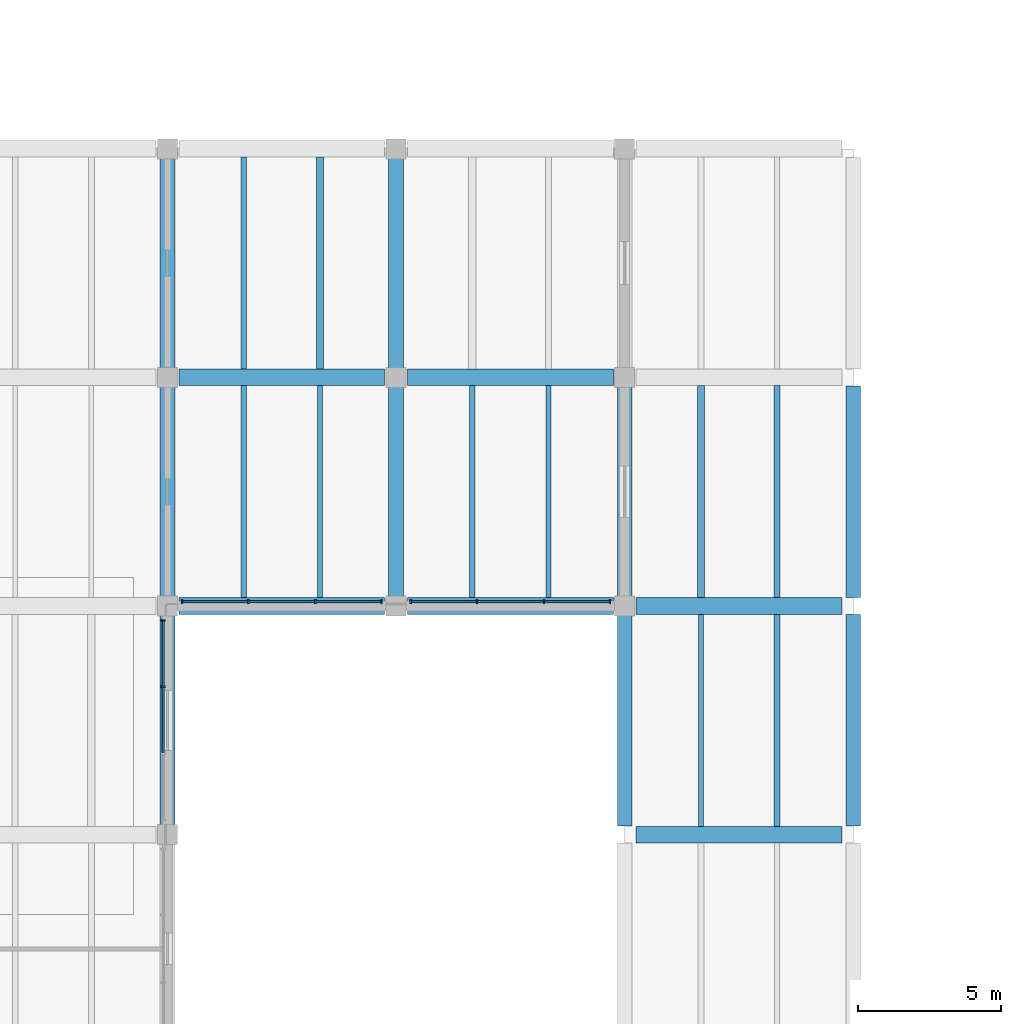
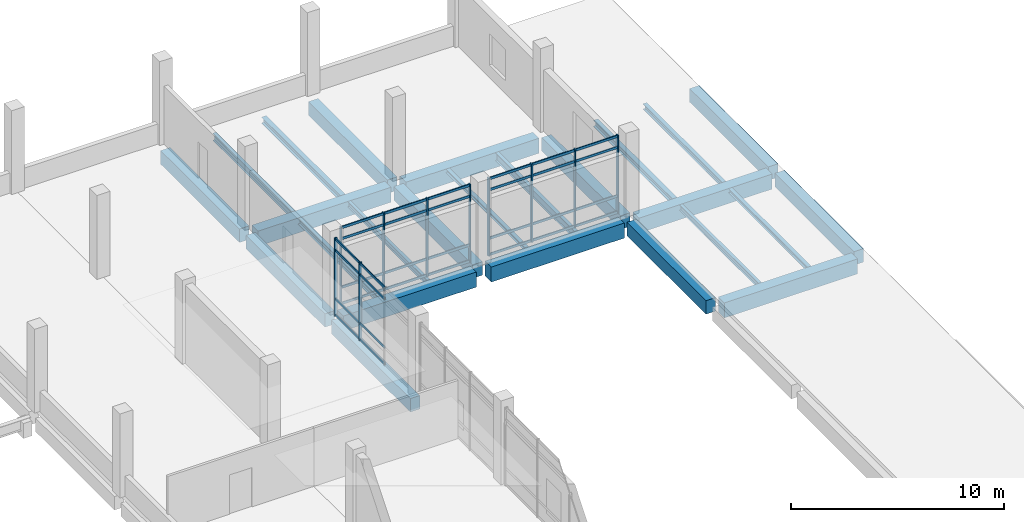
# One storey, part 21 of 52: 42 members, 25 beams, 3 elements without a shape of their own.
"""IFC4 building model written with IfcOpenShell, lengths in metres."""

from ifc_helpers import new_model, si_unit, direction, frame, origin, origin_2d, place, context, subcontext, project, spatial, rectangle, i_section, extrude, material, material_profile, profile_set, type_object, element, aggregate, save


model = new_model("IFC4")

# Units and contexts
model_context = context("Model", 3, precision=1e-05, world=origin(), true_north=direction((0.0, 1.0)))
body_context = subcontext(model_context, "Body", "Model", "MODEL_VIEW")
ifc_project = project(units=[si_unit("LENGTHUNIT", "METRE"), si_unit("AREAUNIT", "SQUARE_METRE"), si_unit("VOLUMEUNIT", "CUBIC_METRE"), si_unit("PLANEANGLEUNIT", "RADIAN"), si_unit("MASSUNIT", "GRAM", prefix="KILO")], contexts=[model_context])

# Site, building, storey
site_placement = place(None, origin())
site = spatial("IfcSite", under=ifc_project, at=site_placement, CompositionType="ELEMENT")
building_placement = place(site_placement, origin())
building = spatial("IfcBuilding", under=site, at=building_placement, Name="Pecanmere Concourse Central Library", CompositionType="ELEMENT")
storey_placement = place(building_placement, frame((0.0, 0.0, 10.5)))
storey = spatial("IfcBuildingStorey", under=building, at=storey_placement, Name="L03", CompositionType="ELEMENT", Elevation=10.5)

# Curtain wall, members
ifc_material_1 = material(Name="Clear anodized aluminium alloy 6063-T6", Category="aluminium")
curtain_wall_type = type_object("IfcCurtainWallType", Name="CW_CLOISTER_GLAZ", PredefinedType="USERDEFINED", material=ifc_material_1)
curtain_wall_1_placement = place(storey_placement, origin())
curtain_wall_1 = element("IfcCurtainWall", 1, at=curtain_wall_1_placement, inside=storey, type_object=curtain_wall_type, Name="Unitised Curtain Wall CW-04 L03-133", ObjectType="UNITISED CURTAIN WALL", PredefinedType="USERDEFINED")
ifc_material_2 = material(Name="Clear anodized aluminium alloy 6063-T6", Category="aluminium")
ifc_material_profile_1 = material_profile(ifc_material_2, rectangle(XDim=0.06005859375, YDim=0.14990234375, at=origin_2d()), Name="AL 60x150")
ifc_profile_set_1 = profile_set([ifc_material_profile_1], Name="Clear anodized aluminium alloy 6063-T6")
member_type_1 = type_object("IfcMemberType", Name="CWM_150x60", PredefinedType="MULLION", material=ifc_profile_set_1)
member_1_placement = place(storey_placement, frame((127.85009765625, 87.17333984375, 0.0), z_axis=(0.0, 0.0, 1.0), x_axis=(0.0, 1.0, 0.0)))
member_1 = element("IfcMember", 2, at=member_1_placement, type_object=member_type_1, Name="CW-04 Mullion 3", PredefinedType="MULLION", context=body_context, shape_type="SweptSolid", body=[
    extrude(rectangle(XDim=0.06005859375, YDim=0.14990234375, at=origin_2d()), origin(), (0.0, 0.0, 1.0), 4.47998046875),
])
member_2_placement = place(storey_placement, frame((127.85009765625, 89.489990234375, 0.0), z_axis=(0.0, 0.0, 1.0), x_axis=(0.0, 1.0, 0.0)))
member_2 = element("IfcMember", 3, at=member_2_placement, type_object=member_type_1, Name="CW-04 Mullion 4", PredefinedType="MULLION", context=body_context, shape_type="SweptSolid", body=[
    extrude(rectangle(XDim=0.06005859375, YDim=0.14990234375, at=origin_2d()), origin(), (0.0, 0.0, 1.0), 4.47998046875),
])

curtain_wall_2_placement = place(storey_placement, origin())
curtain_wall_2 = element("IfcCurtainWall", 4, at=curtain_wall_2_placement, inside=storey, type_object=curtain_wall_type, Name="Unitised Curtain Wall CW-04 L03-135", ObjectType="UNITISED CURTAIN WALL", PredefinedType="USERDEFINED")
member_3_placement = place(storey_placement, frame((135.489990234375, 90.14990234375, 0.0), z_axis=(0.0, 0.0, 1.0), x_axis=(-1.0, 0.0, 0.0)))
member_3 = element("IfcMember", 5, at=member_3_placement, type_object=member_type_1, Name="CW-04 Mullion 1", PredefinedType="MULLION", context=body_context, shape_type="SweptSolid", body=[
    extrude(rectangle(XDim=0.06005859375, YDim=0.14990234375, at=origin_2d()), origin(), (0.0, 0.0, 1.0), 4.47998046875),
])
member_4_placement = place(storey_placement, frame((133.17333984375, 90.14990234375, 0.0), z_axis=(0.0, 0.0, 1.0), x_axis=(-1.0, 0.0, 0.0)))
member_4 = element("IfcMember", 6, at=member_4_placement, type_object=member_type_1, Name="CW-04 Mullion 2", PredefinedType="MULLION", context=body_context, shape_type="SweptSolid", body=[
    extrude(rectangle(XDim=0.06005859375, YDim=0.14990234375, at=origin_2d()), origin(), (0.0, 0.0, 1.0), 4.47998046875),
])
member_5_placement = place(storey_placement, frame((130.82666015625, 90.14990234375, 0.0), z_axis=(0.0, 0.0, 1.0), x_axis=(-1.0, 0.0, 0.0)))
member_5 = element("IfcMember", 7, at=member_5_placement, type_object=member_type_1, Name="CW-04 Mullion 3", PredefinedType="MULLION", context=body_context, shape_type="SweptSolid", body=[
    extrude(rectangle(XDim=0.06005859375, YDim=0.14990234375, at=origin_2d()), origin(), (0.0, 0.0, 1.0), 4.47998046875),
])
member_6_placement = place(storey_placement, frame((128.510009765625, 90.14990234375, 0.0), z_axis=(0.0, 0.0, 1.0), x_axis=(-1.0, 0.0, 0.0)))
member_6 = element("IfcMember", 8, at=member_6_placement, type_object=member_type_1, Name="CW-04 Mullion 4", PredefinedType="MULLION", context=body_context, shape_type="SweptSolid", body=[
    extrude(rectangle(XDim=0.06005859375, YDim=0.14990234375, at=origin_2d()), origin(), (0.0, 0.0, 1.0), 4.47998046875),
])

curtain_wall_3_placement = place(storey_placement, origin())
curtain_wall_3 = element("IfcCurtainWall", 9, at=curtain_wall_3_placement, inside=storey, type_object=curtain_wall_type, Name="Unitised Curtain Wall CW-04 L03-136", ObjectType="UNITISED CURTAIN WALL", PredefinedType="USERDEFINED")
member_7_placement = place(storey_placement, frame((143.489990234375, 90.14990234375, 0.0), z_axis=(0.0, 0.0, 1.0), x_axis=(-1.0, 0.0, 0.0)))
member_7 = element("IfcMember", 10, at=member_7_placement, type_object=member_type_1, Name="CW-04 Mullion 1", PredefinedType="MULLION", context=body_context, shape_type="SweptSolid", body=[
    extrude(rectangle(XDim=0.06005859375, YDim=0.14990234375, at=origin_2d()), origin(), (0.0, 0.0, 1.0), 4.47998046875),
])
member_8_placement = place(storey_placement, frame((141.17333984375, 90.14990234375, 0.0), z_axis=(0.0, 0.0, 1.0), x_axis=(-1.0, 0.0, 0.0)))
member_8 = element("IfcMember", 11, at=member_8_placement, type_object=member_type_1, Name="CW-04 Mullion 2", PredefinedType="MULLION", context=body_context, shape_type="SweptSolid", body=[
    extrude(rectangle(XDim=0.06005859375, YDim=0.14990234375, at=origin_2d()), origin(), (0.0, 0.0, 1.0), 4.47998046875),
])
member_9_placement = place(storey_placement, frame((138.82666015625, 90.14990234375, 0.0), z_axis=(0.0, 0.0, 1.0), x_axis=(-1.0, 0.0, 0.0)))
member_9 = element("IfcMember", 12, at=member_9_placement, type_object=member_type_1, Name="CW-04 Mullion 3", PredefinedType="MULLION", context=body_context, shape_type="SweptSolid", body=[
    extrude(rectangle(XDim=0.06005859375, YDim=0.14990234375, at=origin_2d()), origin(), (0.0, 0.0, 1.0), 4.47998046875),
])
member_10_placement = place(storey_placement, frame((136.510009765625, 90.14990234375, 0.0), z_axis=(0.0, 0.0, 1.0), x_axis=(-1.0, 0.0, 0.0)))
member_10 = element("IfcMember", 13, at=member_10_placement, type_object=member_type_1, Name="CW-04 Mullion 4", PredefinedType="MULLION", context=body_context, shape_type="SweptSolid", body=[
    extrude(rectangle(XDim=0.06005859375, YDim=0.14990234375, at=origin_2d()), origin(), (0.0, 0.0, 1.0), 4.47998046875),
])

# Member
ifc_material_3 = material(Name="Clear anodized aluminium alloy 6063-T6", Category="aluminium")
ifc_material_profile_2 = material_profile(ifc_material_3, rectangle(XDim=0.054931640625, YDim=0.139892578125, at=origin_2d()), Name="AL 55x140")
ifc_profile_set_2 = profile_set([ifc_material_profile_2], Name="Clear anodized aluminium alloy 6063-T6")
member_type_2 = type_object("IfcMemberType", Name="CWT_140x55", PredefinedType="USERDEFINED", material=ifc_profile_set_2)
member_11_placement = place(storey_placement, frame((127.85009765625, 84.856689453125, 0.070068359375), z_axis=(0.0, 1.0, 0.0), x_axis=(-1.0, 0.0, 0.0)))
member_11 = element("IfcMember", 14, at=member_11_placement, type_object=member_type_2, Name="CW-04 Transom 2.1", ObjectType="TRANSOM", PredefinedType="USERDEFINED", context=body_context, shape_type="SweptSolid", body=[
    extrude(rectangle(XDim=0.054931640625, YDim=0.139892578125, at=origin_2d()), origin(), (0.0, 0.0, 1.0), 2.28662109375),
])

member_12_placement = place(storey_placement, frame((127.85009765625, 84.856689453125, 1.0), z_axis=(0.0, 1.0, 0.0), x_axis=(-1.0, 0.0, 0.0)))
member_12 = element("IfcMember", 15, at=member_12_placement, type_object=member_type_2, Name="CW-04 Transom 2.2", ObjectType="TRANSOM", PredefinedType="USERDEFINED", context=body_context, shape_type="SweptSolid", body=[
    extrude(rectangle(XDim=0.054931640625, YDim=0.139892578125, at=origin_2d()), origin(), (0.0, 0.0, 1.0), 2.28662109375),
])

member_13_placement = place(storey_placement, frame((127.85009765625, 84.856689453125, 3.780029296875), z_axis=(0.0, 1.0, 0.0), x_axis=(-1.0, 0.0, 0.0)))
member_13 = element("IfcMember", 16, at=member_13_placement, type_object=member_type_2, Name="CW-04 Transom 2.3", ObjectType="TRANSOM", PredefinedType="USERDEFINED", context=body_context, shape_type="SweptSolid", body=[
    extrude(rectangle(XDim=0.054931640625, YDim=0.139892578125, at=origin_2d()), origin(), (0.0, 0.0, 1.0), 2.28662109375),
])

member_14_placement = place(storey_placement, frame((127.85009765625, 84.856689453125, 4.409912109375), z_axis=(0.0, 1.0, 0.0), x_axis=(-1.0, 0.0, 0.0)))
member_14 = element("IfcMember", 17, at=member_14_placement, type_object=member_type_2, Name="CW-04 Transom 2.4", ObjectType="TRANSOM", PredefinedType="USERDEFINED", context=body_context, shape_type="SweptSolid", body=[
    extrude(rectangle(XDim=0.054931640625, YDim=0.139892578125, at=origin_2d()), origin(), (0.0, 0.0, 1.0), 2.28662109375),
])

member_15_placement = place(storey_placement, frame((127.85009765625, 87.203369140625, 0.070068359375), z_axis=(0.0, 1.0, 0.0), x_axis=(-1.0, 0.0, 0.0)))
member_15 = element("IfcMember", 18, at=member_15_placement, type_object=member_type_2, Name="CW-04 Transom 3.1", ObjectType="TRANSOM", PredefinedType="USERDEFINED", context=body_context, shape_type="SweptSolid", body=[
    extrude(rectangle(XDim=0.054931640625, YDim=0.139892578125, at=origin_2d()), origin(), (0.0, 0.0, 1.0), 2.256591796875),
])

member_16_placement = place(storey_placement, frame((127.85009765625, 87.203369140625, 1.0), z_axis=(0.0, 1.0, 0.0), x_axis=(-1.0, 0.0, 0.0)))
member_16 = element("IfcMember", 19, at=member_16_placement, type_object=member_type_2, Name="CW-04 Transom 3.2", ObjectType="TRANSOM", PredefinedType="USERDEFINED", context=body_context, shape_type="SweptSolid", body=[
    extrude(rectangle(XDim=0.054931640625, YDim=0.139892578125, at=origin_2d()), origin(), (0.0, 0.0, 1.0), 2.256591796875),
])

member_17_placement = place(storey_placement, frame((127.85009765625, 87.203369140625, 3.780029296875), z_axis=(0.0, 1.0, 0.0), x_axis=(-1.0, 0.0, 0.0)))
member_17 = element("IfcMember", 20, at=member_17_placement, type_object=member_type_2, Name="CW-04 Transom 3.3", ObjectType="TRANSOM", PredefinedType="USERDEFINED", context=body_context, shape_type="SweptSolid", body=[
    extrude(rectangle(XDim=0.054931640625, YDim=0.139892578125, at=origin_2d()), origin(), (0.0, 0.0, 1.0), 2.256591796875),
])

member_18_placement = place(storey_placement, frame((127.85009765625, 87.203369140625, 4.409912109375), z_axis=(0.0, 1.0, 0.0), x_axis=(-1.0, 0.0, 0.0)))
member_18 = element("IfcMember", 21, at=member_18_placement, type_object=member_type_2, Name="CW-04 Transom 3.4", ObjectType="TRANSOM", PredefinedType="USERDEFINED", context=body_context, shape_type="SweptSolid", body=[
    extrude(rectangle(XDim=0.054931640625, YDim=0.139892578125, at=origin_2d()), origin(), (0.0, 0.0, 1.0), 2.256591796875),
])

aggregate(curtain_wall_1, [member_1, member_2, member_11, member_12, member_13, member_14, member_15, member_16, member_17, member_18])

member_19_placement = place(storey_placement, frame((135.4599609375, 90.14990234375, 0.070068359375), z_axis=(-1.0, 0.0, 0.0), x_axis=(0.0, -1.0, 0.0)))
member_19 = element("IfcMember", 22, at=member_19_placement, type_object=member_type_2, Name="CW-04 Transom 1.1", ObjectType="TRANSOM", PredefinedType="USERDEFINED", context=body_context, shape_type="SweptSolid", body=[
    extrude(rectangle(XDim=0.054931640625, YDim=0.139892578125, at=origin_2d()), origin(), (0.0, 0.0, 1.0), 2.256591796875),
])

member_20_placement = place(storey_placement, frame((135.4599609375, 90.14990234375, 1.0), z_axis=(-1.0, 0.0, 0.0), x_axis=(0.0, -1.0, 0.0)))
member_20 = element("IfcMember", 23, at=member_20_placement, type_object=member_type_2, Name="CW-04 Transom 1.2", ObjectType="TRANSOM", PredefinedType="USERDEFINED", context=body_context, shape_type="SweptSolid", body=[
    extrude(rectangle(XDim=0.054931640625, YDim=0.139892578125, at=origin_2d()), origin(), (0.0, 0.0, 1.0), 2.256591796875),
])

member_21_placement = place(storey_placement, frame((135.4599609375, 90.14990234375, 3.780029296875), z_axis=(-1.0, 0.0, 0.0), x_axis=(0.0, -1.0, 0.0)))
member_21 = element("IfcMember", 24, at=member_21_placement, type_object=member_type_2, Name="CW-04 Transom 1.3", ObjectType="TRANSOM", PredefinedType="USERDEFINED", context=body_context, shape_type="SweptSolid", body=[
    extrude(rectangle(XDim=0.054931640625, YDim=0.139892578125, at=origin_2d()), origin(), (0.0, 0.0, 1.0), 2.256591796875),
])

member_22_placement = place(storey_placement, frame((135.4599609375, 90.14990234375, 4.409912109375), z_axis=(-1.0, 0.0, 0.0), x_axis=(0.0, -1.0, 0.0)))
member_22 = element("IfcMember", 25, at=member_22_placement, type_object=member_type_2, Name="CW-04 Transom 1.4", ObjectType="TRANSOM", PredefinedType="USERDEFINED", context=body_context, shape_type="SweptSolid", body=[
    extrude(rectangle(XDim=0.054931640625, YDim=0.139892578125, at=origin_2d()), origin(), (0.0, 0.0, 1.0), 2.256591796875),
])

member_23_placement = place(storey_placement, frame((133.143310546875, 90.14990234375, 0.070068359375), z_axis=(-1.0, 0.0, 0.0), x_axis=(0.0, -1.0, 0.0)))
member_23 = element("IfcMember", 26, at=member_23_placement, type_object=member_type_2, Name="CW-04 Transom 2.1", ObjectType="TRANSOM", PredefinedType="USERDEFINED", context=body_context, shape_type="SweptSolid", body=[
    extrude(rectangle(XDim=0.054931640625, YDim=0.139892578125, at=origin_2d()), origin(), (0.0, 0.0, 1.0), 2.28662109375),
])

member_24_placement = place(storey_placement, frame((133.143310546875, 90.14990234375, 1.0), z_axis=(-1.0, 0.0, 0.0), x_axis=(0.0, -1.0, 0.0)))
member_24 = element("IfcMember", 27, at=member_24_placement, type_object=member_type_2, Name="CW-04 Transom 2.2", ObjectType="TRANSOM", PredefinedType="USERDEFINED", context=body_context, shape_type="SweptSolid", body=[
    extrude(rectangle(XDim=0.054931640625, YDim=0.139892578125, at=origin_2d()), origin(), (0.0, 0.0, 1.0), 2.28662109375),
])

member_25_placement = place(storey_placement, frame((133.143310546875, 90.14990234375, 3.780029296875), z_axis=(-1.0, 0.0, 0.0), x_axis=(0.0, -1.0, 0.0)))
member_25 = element("IfcMember", 28, at=member_25_placement, type_object=member_type_2, Name="CW-04 Transom 2.3", ObjectType="TRANSOM", PredefinedType="USERDEFINED", context=body_context, shape_type="SweptSolid", body=[
    extrude(rectangle(XDim=0.054931640625, YDim=0.139892578125, at=origin_2d()), origin(), (0.0, 0.0, 1.0), 2.28662109375),
])

member_26_placement = place(storey_placement, frame((133.143310546875, 90.14990234375, 4.409912109375), z_axis=(-1.0, 0.0, 0.0), x_axis=(0.0, -1.0, 0.0)))
member_26 = element("IfcMember", 29, at=member_26_placement, type_object=member_type_2, Name="CW-04 Transom 2.4", ObjectType="TRANSOM", PredefinedType="USERDEFINED", context=body_context, shape_type="SweptSolid", body=[
    extrude(rectangle(XDim=0.054931640625, YDim=0.139892578125, at=origin_2d()), origin(), (0.0, 0.0, 1.0), 2.28662109375),
])

member_27_placement = place(storey_placement, frame((130.796630859375, 90.14990234375, 0.070068359375), z_axis=(-1.0, 0.0, 0.0), x_axis=(0.0, -1.0, 0.0)))
member_27 = element("IfcMember", 30, at=member_27_placement, type_object=member_type_2, Name="CW-04 Transom 3.1", ObjectType="TRANSOM", PredefinedType="USERDEFINED", context=body_context, shape_type="SweptSolid", body=[
    extrude(rectangle(XDim=0.054931640625, YDim=0.139892578125, at=origin_2d()), origin(), (0.0, 0.0, 1.0), 2.256591796875),
])

member_28_placement = place(storey_placement, frame((130.796630859375, 90.14990234375, 1.0), z_axis=(-1.0, 0.0, 0.0), x_axis=(0.0, -1.0, 0.0)))
member_28 = element("IfcMember", 31, at=member_28_placement, type_object=member_type_2, Name="CW-04 Transom 3.2", ObjectType="TRANSOM", PredefinedType="USERDEFINED", context=body_context, shape_type="SweptSolid", body=[
    extrude(rectangle(XDim=0.054931640625, YDim=0.139892578125, at=origin_2d()), origin(), (0.0, 0.0, 1.0), 2.256591796875),
])

member_29_placement = place(storey_placement, frame((130.796630859375, 90.14990234375, 3.780029296875), z_axis=(-1.0, 0.0, 0.0), x_axis=(0.0, -1.0, 0.0)))
member_29 = element("IfcMember", 32, at=member_29_placement, type_object=member_type_2, Name="CW-04 Transom 3.3", ObjectType="TRANSOM", PredefinedType="USERDEFINED", context=body_context, shape_type="SweptSolid", body=[
    extrude(rectangle(XDim=0.054931640625, YDim=0.139892578125, at=origin_2d()), origin(), (0.0, 0.0, 1.0), 2.256591796875),
])

member_30_placement = place(storey_placement, frame((130.796630859375, 90.14990234375, 4.409912109375), z_axis=(-1.0, 0.0, 0.0), x_axis=(0.0, -1.0, 0.0)))
member_30 = element("IfcMember", 33, at=member_30_placement, type_object=member_type_2, Name="CW-04 Transom 3.4", ObjectType="TRANSOM", PredefinedType="USERDEFINED", context=body_context, shape_type="SweptSolid", body=[
    extrude(rectangle(XDim=0.054931640625, YDim=0.139892578125, at=origin_2d()), origin(), (0.0, 0.0, 1.0), 2.256591796875),
])

aggregate(curtain_wall_2, [member_3, member_4, member_5, member_6, member_19, member_20, member_21, member_22, member_23, member_24, member_25, member_26, member_27, member_28, member_29, member_30])

member_31_placement = place(storey_placement, frame((143.4599609375, 90.14990234375, 0.070068359375), z_axis=(-1.0, 0.0, 0.0), x_axis=(0.0, -1.0, 0.0)))
member_31 = element("IfcMember", 34, at=member_31_placement, type_object=member_type_2, Name="CW-04 Transom 1.1", ObjectType="TRANSOM", PredefinedType="USERDEFINED", context=body_context, shape_type="SweptSolid", body=[
    extrude(rectangle(XDim=0.054931640625, YDim=0.139892578125, at=origin_2d()), origin(), (0.0, 0.0, 1.0), 2.256591796875),
])

member_32_placement = place(storey_placement, frame((143.4599609375, 90.14990234375, 1.0), z_axis=(-1.0, 0.0, 0.0), x_axis=(0.0, -1.0, 0.0)))
member_32 = element("IfcMember", 35, at=member_32_placement, type_object=member_type_2, Name="CW-04 Transom 1.2", ObjectType="TRANSOM", PredefinedType="USERDEFINED", context=body_context, shape_type="SweptSolid", body=[
    extrude(rectangle(XDim=0.054931640625, YDim=0.139892578125, at=origin_2d()), origin(), (0.0, 0.0, 1.0), 2.256591796875),
])

member_33_placement = place(storey_placement, frame((143.4599609375, 90.14990234375, 3.780029296875), z_axis=(-1.0, 0.0, 0.0), x_axis=(0.0, -1.0, 0.0)))
member_33 = element("IfcMember", 36, at=member_33_placement, type_object=member_type_2, Name="CW-04 Transom 1.3", ObjectType="TRANSOM", PredefinedType="USERDEFINED", context=body_context, shape_type="SweptSolid", body=[
    extrude(rectangle(XDim=0.054931640625, YDim=0.139892578125, at=origin_2d()), origin(), (0.0, 0.0, 1.0), 2.256591796875),
])

member_34_placement = place(storey_placement, frame((143.4599609375, 90.14990234375, 4.409912109375), z_axis=(-1.0, 0.0, 0.0), x_axis=(0.0, -1.0, 0.0)))
member_34 = element("IfcMember", 37, at=member_34_placement, type_object=member_type_2, Name="CW-04 Transom 1.4", ObjectType="TRANSOM", PredefinedType="USERDEFINED", context=body_context, shape_type="SweptSolid", body=[
    extrude(rectangle(XDim=0.054931640625, YDim=0.139892578125, at=origin_2d()), origin(), (0.0, 0.0, 1.0), 2.256591796875),
])

member_35_placement = place(storey_placement, frame((141.143310546875, 90.14990234375, 0.070068359375), z_axis=(-1.0, 0.0, 0.0), x_axis=(0.0, -1.0, 0.0)))
member_35 = element("IfcMember", 38, at=member_35_placement, type_object=member_type_2, Name="CW-04 Transom 2.1", ObjectType="TRANSOM", PredefinedType="USERDEFINED", context=body_context, shape_type="SweptSolid", body=[
    extrude(rectangle(XDim=0.054931640625, YDim=0.139892578125, at=origin_2d()), origin(), (0.0, 0.0, 1.0), 2.28662109375),
])

member_36_placement = place(storey_placement, frame((141.143310546875, 90.14990234375, 1.0), z_axis=(-1.0, 0.0, 0.0), x_axis=(0.0, -1.0, 0.0)))
member_36 = element("IfcMember", 39, at=member_36_placement, type_object=member_type_2, Name="CW-04 Transom 2.2", ObjectType="TRANSOM", PredefinedType="USERDEFINED", context=body_context, shape_type="SweptSolid", body=[
    extrude(rectangle(XDim=0.054931640625, YDim=0.139892578125, at=origin_2d()), origin(), (0.0, 0.0, 1.0), 2.28662109375),
])

member_37_placement = place(storey_placement, frame((141.143310546875, 90.14990234375, 3.780029296875), z_axis=(-1.0, 0.0, 0.0), x_axis=(0.0, -1.0, 0.0)))
member_37 = element("IfcMember", 40, at=member_37_placement, type_object=member_type_2, Name="CW-04 Transom 2.3", ObjectType="TRANSOM", PredefinedType="USERDEFINED", context=body_context, shape_type="SweptSolid", body=[
    extrude(rectangle(XDim=0.054931640625, YDim=0.139892578125, at=origin_2d()), origin(), (0.0, 0.0, 1.0), 2.28662109375),
])

member_38_placement = place(storey_placement, frame((141.143310546875, 90.14990234375, 4.409912109375), z_axis=(-1.0, 0.0, 0.0), x_axis=(0.0, -1.0, 0.0)))
member_38 = element("IfcMember", 41, at=member_38_placement, type_object=member_type_2, Name="CW-04 Transom 2.4", ObjectType="TRANSOM", PredefinedType="USERDEFINED", context=body_context, shape_type="SweptSolid", body=[
    extrude(rectangle(XDim=0.054931640625, YDim=0.139892578125, at=origin_2d()), origin(), (0.0, 0.0, 1.0), 2.28662109375),
])

member_39_placement = place(storey_placement, frame((138.796630859375, 90.14990234375, 0.070068359375), z_axis=(-1.0, 0.0, 0.0), x_axis=(0.0, -1.0, 0.0)))
member_39 = element("IfcMember", 42, at=member_39_placement, type_object=member_type_2, Name="CW-04 Transom 3.1", ObjectType="TRANSOM", PredefinedType="USERDEFINED", context=body_context, shape_type="SweptSolid", body=[
    extrude(rectangle(XDim=0.054931640625, YDim=0.139892578125, at=origin_2d()), origin(), (0.0, 0.0, 1.0), 2.256591796875),
])

member_40_placement = place(storey_placement, frame((138.796630859375, 90.14990234375, 1.0), z_axis=(-1.0, 0.0, 0.0), x_axis=(0.0, -1.0, 0.0)))
member_40 = element("IfcMember", 43, at=member_40_placement, type_object=member_type_2, Name="CW-04 Transom 3.2", ObjectType="TRANSOM", PredefinedType="USERDEFINED", context=body_context, shape_type="SweptSolid", body=[
    extrude(rectangle(XDim=0.054931640625, YDim=0.139892578125, at=origin_2d()), origin(), (0.0, 0.0, 1.0), 2.256591796875),
])

member_41_placement = place(storey_placement, frame((138.796630859375, 90.14990234375, 3.780029296875), z_axis=(-1.0, 0.0, 0.0), x_axis=(0.0, -1.0, 0.0)))
member_41 = element("IfcMember", 44, at=member_41_placement, type_object=member_type_2, Name="CW-04 Transom 3.3", ObjectType="TRANSOM", PredefinedType="USERDEFINED", context=body_context, shape_type="SweptSolid", body=[
    extrude(rectangle(XDim=0.054931640625, YDim=0.139892578125, at=origin_2d()), origin(), (0.0, 0.0, 1.0), 2.256591796875),
])

member_42_placement = place(storey_placement, frame((138.796630859375, 90.14990234375, 4.409912109375), z_axis=(-1.0, 0.0, 0.0), x_axis=(0.0, -1.0, 0.0)))
member_42 = element("IfcMember", 45, at=member_42_placement, type_object=member_type_2, Name="CW-04 Transom 3.4", ObjectType="TRANSOM", PredefinedType="USERDEFINED", context=body_context, shape_type="SweptSolid", body=[
    extrude(rectangle(XDim=0.054931640625, YDim=0.139892578125, at=origin_2d()), origin(), (0.0, 0.0, 1.0), 2.256591796875),
])

aggregate(curtain_wall_3, [member_7, member_8, member_9, member_10, member_31, member_32, member_33, member_34, member_35, member_36, member_37, member_38, member_39, member_40, member_41, member_42])

# Beams
ifc_material_4 = material(Name="Concrete C40/50", Category="concrete")
ifc_material_profile_3 = material_profile(ifc_material_4, rectangle(XDim=0.52001953125, YDim=0.77001953125, at=origin_2d()), Name="RC 520x770")
ifc_profile_set_3 = profile_set([ifc_material_profile_3], Name="Concrete C40/50")
beam_type_1 = type_object("IfcBeamType", Name="GRD_520x770", PredefinedType="USERDEFINED", material=ifc_profile_set_3)
for number, where, z_axis, x_axis, name in (
    (46, (128.0, 82.300048828125, -0.72509765625), (0.0, 1.0, 0.0), (-1.0, 0.0, 0.0), "Primary Girder Y L03-1790"),
    (47, (128.0, 90.300048828125, -0.72509765625), (0.0, 1.0, 0.0), (-1.0, 0.0, 0.0), "Primary Girder Y L03-1791"),
    (48, (128.0, 98.300048828125, -0.72509765625), (0.0, 1.0, 0.0), (-1.0, 0.0, 0.0), "Primary Girder Y L03-1792"),
    (49, (136.0, 90.300048828125, -0.72509765625), (0.0, 1.0, 0.0), (-1.0, 0.0, 0.0), "Primary Girder Y L03-1799"),
    (50, (136.0, 98.300048828125, -0.72509765625), (0.0, 1.0, 0.0), (-1.0, 0.0, 0.0), "Primary Girder Y L03-1800"),
    (51, (144.0, 82.300048828125, -0.72509765625), (0.0, 1.0, 0.0), (-1.0, 0.0, 0.0), "Primary Girder Y L03-1809"),
    (52, (144.0, 90.300048828125, -0.72509765625), (0.0, 1.0, 0.0), (-1.0, 0.0, 0.0), "Primary Girder Y L03-1810"),
    (53, (152.0, 82.300048828125, -0.72509765625), (0.0, 1.0, 0.0), (-1.0, 0.0, 0.0), "Primary Girder Y L03-1820"),
    (54, (152.0, 90.300048828125, -0.72509765625), (0.0, 1.0, 0.0), (-1.0, 0.0, 0.0), "Primary Girder Y L03-1821"),
):
    element("IfcBeam", number, at=place(storey_placement, frame(where, z_axis=z_axis, x_axis=x_axis)), inside=storey, type_object=beam_type_1, Name=name, ObjectType="GIRDER", PredefinedType="USERDEFINED", context=body_context, shape_type="SweptSolid", body=[
        extrude(rectangle(XDim=0.52001953125, YDim=0.77001953125, at=origin_2d()), origin(), (0.0, 0.0, 1.0), 7.39990234375),
    ])
ifc_material_5 = material(Name="Concrete C40/50", Category="concrete")
ifc_material_profile_4 = material_profile(ifc_material_5, rectangle(XDim=0.580078125, YDim=0.860107421875, at=origin_2d()), Name="RC 580x860")
ifc_profile_set_4 = profile_set([ifc_material_profile_4], Name="Concrete C40/50")
beam_type_2 = type_object("IfcBeamType", Name="GRD_580x860", PredefinedType="USERDEFINED", material=ifc_profile_set_4)
for number, where, z_axis, x_axis, name in (
    (55, (144.39990234375, 82.0, -0.77001953125), (1.0, 0.0, 0.0), (0.0, 1.0, 0.0), "Primary Girder X L03-1605"),
    (56, (128.39990234375, 90.0, -0.77001953125), (1.0, 0.0, 0.0), (0.0, 1.0, 0.0), "Primary Girder X L03-1619"),
    (57, (136.39990234375, 90.0, -0.77001953125), (1.0, 0.0, 0.0), (0.0, 1.0, 0.0), "Primary Girder X L03-1620"),
    (58, (144.39990234375, 90.0, -0.77001953125), (1.0, 0.0, 0.0), (0.0, 1.0, 0.0), "Primary Girder X L03-1621"),
    (59, (128.39990234375, 98.0, -0.77001953125), (1.0, 0.0, 0.0), (0.0, 1.0, 0.0), "Primary Girder X L03-1635"),
    (60, (136.39990234375, 98.0, -0.77001953125), (1.0, 0.0, 0.0), (0.0, 1.0, 0.0), "Primary Girder X L03-1636"),
):
    element("IfcBeam", number, at=place(storey_placement, frame(where, z_axis=z_axis, x_axis=x_axis)), inside=storey, type_object=beam_type_2, Name=name, ObjectType="GIRDER", PredefinedType="USERDEFINED", context=body_context, shape_type="SweptSolid", body=[
        extrude(rectangle(XDim=0.580078125, YDim=0.860107421875, at=origin_2d()), origin(), (0.0, 0.0, 1.0), 7.2001953125),
    ])
ifc_material_6 = material(Name="Structural steel ASTM A992 Grade 50", Category="steel")
ifc_material_profile_5 = material_profile(ifc_material_6, i_section(OverallWidth=0.2041015625, OverallDepth=0.2060546875, WebThickness=0.0078125, FlangeThickness=0.0126953125, at=origin_2d()), Name="W200x52")
ifc_profile_set_5 = profile_set([ifc_material_profile_5], Name="Structural steel ASTM A992 Grade 50")
beam_type_3 = type_object("IfcBeamType", Name="SBM_W200x52", PredefinedType="JOIST", material=ifc_profile_set_5)
beam_1_placement = place(storey_placement, frame((138.666748046875, 90.2900390625, -0.443115234375), z_axis=(0.0, 1.0, 0.0), x_axis=(-1.0, 0.0, 0.0)))
element("IfcBeam", 61, at=beam_1_placement, inside=storey, type_object=beam_type_3, Name="Secondary Floor Joist L03-2057", PredefinedType="JOIST", context=body_context, shape_type="SweptSolid", body=[
    extrude(i_section(OverallWidth=0.2041015625, OverallDepth=0.2060546875, WebThickness=0.0078125, FlangeThickness=0.0126953125, at=origin_2d()), origin(), (0.0, 0.0, 1.0), 7.419921875),
])
ifc_material_7 = material(Name="Structural steel ASTM A992 Grade 50", Category="steel")
ifc_material_profile_6 = material_profile(ifc_material_7, i_section(OverallWidth=0.201904296875, OverallDepth=0.2470703125, WebThickness=0.00732421875, FlangeThickness=0.010986328125, at=origin_2d()), Name="W250x49.1")
ifc_profile_set_6 = profile_set([ifc_material_profile_6], Name="Structural steel ASTM A992 Grade 50")
beam_type_4 = type_object("IfcBeamType", Name="SBM_W250x49", PredefinedType="JOIST", material=ifc_profile_set_6)
beam_2_placement = place(storey_placement, frame((149.333251953125, 82.2900390625, -0.46337890625), z_axis=(0.0, 1.0, 0.0), x_axis=(-1.0, 0.0, 0.0)))
element("IfcBeam", 62, at=beam_2_placement, inside=storey, type_object=beam_type_4, Name="Secondary Floor Joist L03-2078", PredefinedType="JOIST", context=body_context, shape_type="SweptSolid", body=[
    extrude(i_section(OverallWidth=0.201904296875, OverallDepth=0.2470703125, WebThickness=0.00732421875, FlangeThickness=0.010986328125, at=origin_2d()), origin(), (0.0, 0.0, 1.0), 7.419921875),
])
ifc_material_8 = material(Name="Structural steel ASTM A992 Grade 50", Category="steel")
ifc_material_profile_7 = material_profile(ifc_material_8, i_section(OverallWidth=0.1669921875, OverallDepth=0.31689453125, WebThickness=0.007568359375, FlangeThickness=0.01318359375, at=origin_2d()), Name="W310x52")
ifc_profile_set_7 = profile_set([ifc_material_profile_7], Name="Structural steel ASTM A992 Grade 50")
beam_type_5 = type_object("IfcBeamType", Name="SBM_W310x52", PredefinedType="JOIST", material=ifc_profile_set_7)
for number, where, z_axis, x_axis, name in (
    (63, (133.333251953125, 90.2900390625, -0.49853515625), (0.0, 1.0, 0.0), (-1.0, 0.0, 0.0), "Secondary Floor Joist L03-2042"),
    (64, (146.666748046875, 82.2900390625, -0.49853515625), (0.0, 1.0, 0.0), (-1.0, 0.0, 0.0), "Secondary Floor Joist L03-2077"),
):
    element("IfcBeam", number, at=place(storey_placement, frame(where, z_axis=z_axis, x_axis=x_axis)), inside=storey, type_object=beam_type_5, Name=name, PredefinedType="JOIST", context=body_context, shape_type="SweptSolid", body=[
        extrude(i_section(OverallWidth=0.1669921875, OverallDepth=0.31689453125, WebThickness=0.007568359375, FlangeThickness=0.01318359375, at=origin_2d()), origin(), (0.0, 0.0, 1.0), 7.419921875),
    ])
ifc_material_9 = material(Name="Structural steel ASTM A992 Grade 50", Category="steel")
ifc_material_profile_8 = material_profile(ifc_material_9, i_section(OverallWidth=0.205078125, OverallDepth=0.31005859375, WebThickness=0.009521484375, FlangeThickness=0.016357421875, at=origin_2d()), Name="W310x74")
ifc_profile_set_8 = profile_set([ifc_material_profile_8], Name="Structural steel ASTM A992 Grade 50")
beam_type_6 = type_object("IfcBeamType", Name="SBM_W310x74", PredefinedType="BEAM", material=ifc_profile_set_8)
beam_3_placement = place(storey_placement, frame((149.333251953125, 90.2900390625, -0.4951171875), z_axis=(0.0, 1.0, 0.0), x_axis=(-1.0, 0.0, 0.0)))
element("IfcBeam", 65, at=beam_3_placement, inside=storey, type_object=beam_type_6, Name="Secondary Floor Joist L03-2080", PredefinedType="BEAM", context=body_context, shape_type="SweptSolid", body=[
    extrude(i_section(OverallWidth=0.205078125, OverallDepth=0.31005859375, WebThickness=0.009521484375, FlangeThickness=0.016357421875, at=origin_2d()), origin(), (0.0, 0.0, 1.0), 7.419921875),
])
ifc_material_10 = material(Name="Structural steel ASTM A992 Grade 50", Category="steel")
ifc_material_profile_9 = material_profile(ifc_material_10, i_section(OverallWidth=0.202880859375, OverallDepth=0.346923828125, WebThickness=0.0078125, FlangeThickness=0.013427734375, at=origin_2d()), Name="W360x64")
ifc_profile_set_9 = profile_set([ifc_material_profile_9], Name="Structural steel ASTM A992 Grade 50")
beam_type_7 = type_object("IfcBeamType", Name="SBM_W360x64", PredefinedType="JOIST", material=ifc_profile_set_9)
beam_4_placement = place(storey_placement, frame((130.666748046875, 90.2900390625, -0.513427734375), z_axis=(0.0, 1.0, 0.0), x_axis=(-1.0, 0.0, 0.0)))
element("IfcBeam", 66, at=beam_4_placement, inside=storey, type_object=beam_type_7, Name="Secondary Floor Joist L03-2041", PredefinedType="JOIST", context=body_context, shape_type="SweptSolid", body=[
    extrude(i_section(OverallWidth=0.202880859375, OverallDepth=0.346923828125, WebThickness=0.0078125, FlangeThickness=0.013427734375, at=origin_2d()), origin(), (0.0, 0.0, 1.0), 7.419921875),
])
ifc_material_11 = material(Name="Structural steel ASTM A992 Grade 50", Category="steel")
ifc_material_profile_10 = material_profile(ifc_material_11, i_section(OverallWidth=0.25390625, OverallDepth=0.35302734375, WebThickness=0.009521484375, FlangeThickness=0.016357421875, at=origin_2d()), Name="W360x91")
ifc_profile_set_10 = profile_set([ifc_material_profile_10], Name="Structural steel ASTM A992 Grade 50")
beam_type_8 = type_object("IfcBeamType", Name="SBM_W360x91", PredefinedType="BEAM", material=ifc_profile_set_10)
for number, where, z_axis, x_axis, name in (
    (67, (133.333251953125, 98.2900390625, -0.5166015625), (0.0, 1.0, 0.0), (-1.0, 0.0, 0.0), "Secondary Floor Joist L03-2044"),
    (68, (146.666748046875, 90.2900390625, -0.5166015625), (0.0, 1.0, 0.0), (-1.0, 0.0, 0.0), "Secondary Floor Joist L03-2079"),
):
    element("IfcBeam", number, at=place(storey_placement, frame(where, z_axis=z_axis, x_axis=x_axis)), inside=storey, type_object=beam_type_8, Name=name, PredefinedType="BEAM", context=body_context, shape_type="SweptSolid", body=[
        extrude(i_section(OverallWidth=0.25390625, OverallDepth=0.35302734375, WebThickness=0.009521484375, FlangeThickness=0.016357421875, at=origin_2d()), origin(), (0.0, 0.0, 1.0), 7.419921875),
    ])
ifc_material_12 = material(Name="Structural steel ASTM A992 Grade 50", Category="steel")
ifc_material_profile_11 = material_profile(ifc_material_12, i_section(OverallWidth=0.180908203125, OverallDepth=0.4169921875, WebThickness=0.010986328125, FlangeThickness=0.018310546875, at=origin_2d()), Name="W410x85")
ifc_profile_set_11 = profile_set([ifc_material_profile_11], Name="Structural steel ASTM A992 Grade 50")
beam_type_9 = type_object("IfcBeamType", Name="SBM_W410x85", PredefinedType="BEAM", material=ifc_profile_set_11)
beam_5_placement = place(storey_placement, frame((130.666748046875, 98.2900390625, -0.548583984375), z_axis=(0.0, 1.0, 0.0), x_axis=(-1.0, 0.0, 0.0)))
element("IfcBeam", 69, at=beam_5_placement, inside=storey, type_object=beam_type_9, Name="Secondary Floor Joist L03-2043", PredefinedType="BEAM", context=body_context, shape_type="SweptSolid", body=[
    extrude(i_section(OverallWidth=0.180908203125, OverallDepth=0.4169921875, WebThickness=0.010986328125, FlangeThickness=0.018310546875, at=origin_2d()), origin(), (0.0, 0.0, 1.0), 7.419921875),
])
ifc_material_13 = material(Name="Structural steel ASTM A992 Grade 50", Category="steel")
ifc_material_profile_12 = material_profile(ifc_material_13, i_section(OverallWidth=0.18994140625, OverallDepth=0.45703125, WebThickness=0.009033203125, FlangeThickness=0.014404296875, at=origin_2d()), Name="W460x74")
ifc_profile_set_12 = profile_set([ifc_material_profile_12], Name="Structural steel ASTM A992 Grade 50")
beam_type_10 = type_object("IfcBeamType", Name="SBM_W460x74", PredefinedType="BEAM", material=ifc_profile_set_12)
beam_6_placement = place(storey_placement, frame((141.333251953125, 90.2900390625, -0.568603515625), z_axis=(0.0, 1.0, 0.0), x_axis=(-1.0, 0.0, 0.0)))
element("IfcBeam", 70, at=beam_6_placement, inside=storey, type_object=beam_type_10, Name="Secondary Floor Joist L03-2058", PredefinedType="BEAM", context=body_context, shape_type="SweptSolid", body=[
    extrude(i_section(OverallWidth=0.18994140625, OverallDepth=0.45703125, WebThickness=0.009033203125, FlangeThickness=0.014404296875, at=origin_2d()), origin(), (0.0, 0.0, 1.0), 7.419921875),
])

save(model, "model.ifc")
